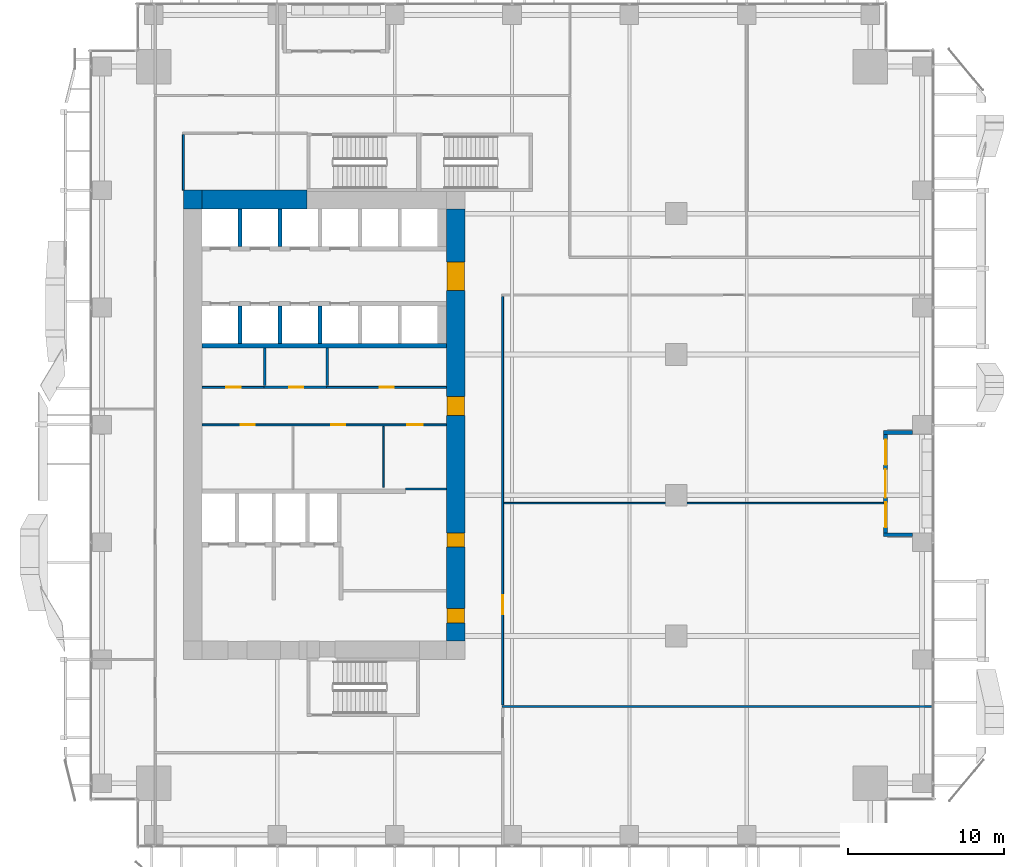
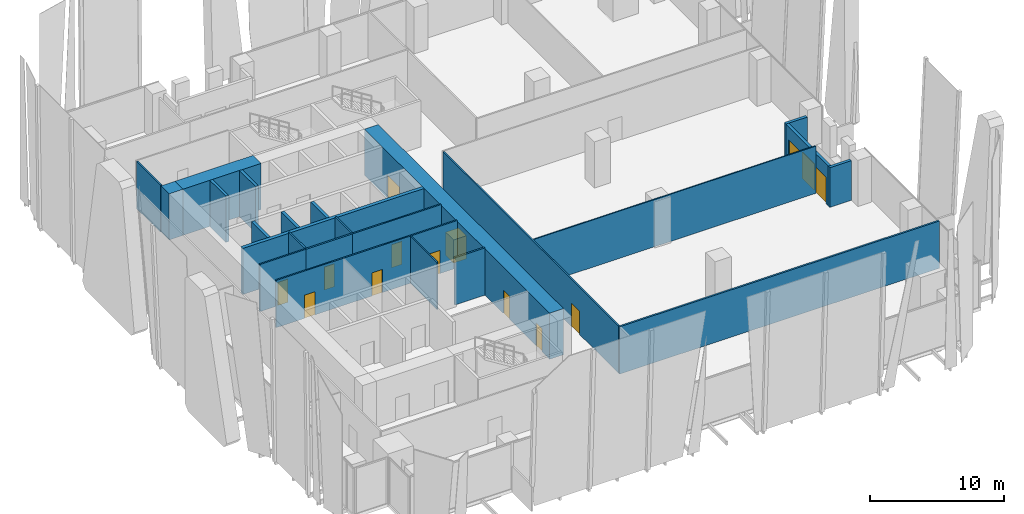
# One storey, part 27 of 34: 24 walls, 12 doors, 2 windows, 14 openings.
"""IFC4 building model written with IfcOpenShell, lengths in metres."""

from ifc_helpers import new_model, si_unit, direction, frame, frame_2d, origin, place, context, subcontext, project, spatial, rectangle, extrude, source, transform, mapped, material, layer, layer_set, type_object, element, fill, save


model = new_model("IFC4")

# Units and contexts
model_context = context("Model", 3, precision=1e-05, world=origin(), true_north=direction((0.0, 1.0)))
body_context = subcontext(model_context, "Body", "Model", "MODEL_VIEW")
ifc_project = project(units=[si_unit("LENGTHUNIT", "METRE"), si_unit("AREAUNIT", "SQUARE_METRE"), si_unit("VOLUMEUNIT", "CUBIC_METRE"), si_unit("PLANEANGLEUNIT", "RADIAN"), si_unit("MASSUNIT", "GRAM", prefix="KILO")], contexts=[model_context])

# Site, building, storey
site_placement = place(None, origin())
site = spatial("IfcSite", under=ifc_project, at=site_placement, CompositionType="ELEMENT")
building_placement = place(site_placement, origin())
building = spatial("IfcBuilding", under=site, at=building_placement, Name="Khomas Fold Tower", CompositionType="ELEMENT")
storey_placement = place(building_placement, frame((0.0, 0.0, 73.5)))
storey = spatial("IfcBuildingStorey", under=building, at=storey_placement, Name="L15", CompositionType="ELEMENT", Elevation=73.5)

# Walls
ifc_material_1 = material(Name="Concrete C70/85", Category="concrete")
ifc_layer_1 = layer(ifc_material_1, 1.199951171875)
ifc_layer_set_1 = layer_set([ifc_layer_1], Name="Concrete C70/85")
wall_type_1 = type_object("IfcWallType", Name="Core wall 1200", PredefinedType="SHEAR", material=ifc_layer_set_1)
shared_shape_1 = source(origin(), body_context, "Body", "SweptSolid", [
    extrude(rectangle(XDim=6.699951171875, YDim=1.199951171875, at=frame_2d((3.35009765625, 0.0))), origin(), (0.0, 0.0, 1.0), 4.199951171875),
])
wall_1_placement = place(storey_placement, frame((7.199951171875, 41.39990234375, 0.0), z_axis=(0.0, 0.0, 1.0), x_axis=(1.0, 0.0, 0.0)))
element("IfcWall", 1, at=wall_1_placement, inside=storey, type_object=wall_type_1, Name="Core wall CW-L-N-B2", PredefinedType="SHEAR", context=body_context, shape_type="MappedRepresentation", body=[
    mapped(shared_shape_1, transform((0.0, 0.0, 0.0))),
])
ifc_material_2 = material(Name="Concrete C70/85", Category="concrete")
ifc_layer_2 = layer(ifc_material_2, 1.199951171875)
ifc_layer_set_2 = layer_set([ifc_layer_2], Name="Concrete C70/85")
wall_type_2 = type_object("IfcWallType", Name="Core corner wall 1200", PredefinedType="SHEAR", material=ifc_layer_set_2)
shared_shape_2 = source(origin(), body_context, "Body", "SweptSolid", [
    extrude(rectangle(XDim=1.199951171875, YDim=1.199951171875, at=frame_2d((0.60009765625, 0.0))), origin(), (0.0, 0.0, 1.0), 4.199951171875),
])
wall_2_placement = place(storey_placement, frame((6.0, 41.39990234375, 0.0), z_axis=(0.0, 0.0, 1.0), x_axis=(1.0, 0.0, 0.0)))
element("IfcWall", 2, at=wall_2_placement, inside=storey, type_object=wall_type_2, Name="Core wall CW-L-NW-B2", PredefinedType="SHEAR", context=body_context, shape_type="MappedRepresentation", body=[
    mapped(shared_shape_2, transform((0.0, 0.0, 0.0))),
])

# Wall, openings, doors
shared_shape_3 = source(origin(), body_context, "Body", "SweptSolid", [
    extrude(rectangle(XDim=27.60009765625, YDim=1.199951171875, at=frame_2d((13.800048828125, 0.0))), origin(), (0.0, 0.0, 1.0), 4.199951171875),
])
wall_3_placement = place(storey_placement, frame((23.39990234375, 13.199951171875, 0.0), z_axis=(0.0, 0.0, 1.0), x_axis=(0.0, 1.0, 0.0)))
wall_3 = element("IfcWall", 3, at=wall_3_placement, inside=storey, type_object=wall_type_1, Name="Core wall CW-L-E-B2", PredefinedType="SHEAR", context=body_context, shape_type="MappedRepresentation", body=[
    mapped(shared_shape_3, transform((0.0, 0.0, 0.0))),
])
shared_shape_4 = source(origin(), body_context, "Body", "SweptSolid", [
    extrude(rectangle(XDim=1.800048828125, YDim=2.10009765625, at=frame_2d((0.89990234375, 1.050048828125))), frame((0.0, 0.60986328125, 0.0), z_axis=(0.0, -1.0, 0.0), x_axis=(1.0, 0.0, 0.0)), (0.0, 0.0, 1.0), 1.219970703125),
])
opening_1_placement = place(wall_3_placement, frame((22.39990234375, 0.0, 0.0)))
opening_1 = element("IfcOpeningElement", 4, at=opening_1_placement, cuts=wall_3, Name="Opening 0015", PredefinedType="OPENING", context=body_context, shape_type="MappedRepresentation", body=[
    mapped(shared_shape_4, transform((0.0, 0.0, 0.0))),
])
shared_shape_5 = source(origin(), body_context, "Body", "SweptSolid", [
    extrude(rectangle(XDim=1.199951171875, YDim=2.10009765625, at=frame_2d((0.60009765625, 1.050048828125))), frame((0.0, 0.60986328125, 0.0), z_axis=(0.0, -1.0, 0.0), x_axis=(1.0, 0.0, 0.0)), (0.0, 0.0, 1.0), 1.219970703125),
])
opening_2_placement = place(wall_3_placement, frame((14.39990234375, 0.0, 0.0)))
opening_2 = element("IfcOpeningElement", 5, at=opening_2_placement, cuts=wall_3, Name="Opening 0001", PredefinedType="OPENING", context=body_context, shape_type="MappedRepresentation", body=[
    mapped(shared_shape_5, transform((0.0, 0.0, 0.0))),
])
shared_shape_6 = source(origin(), body_context, "Body", "SweptSolid", [
    extrude(rectangle(XDim=0.89990234375, YDim=2.10009765625, at=frame_2d((0.449951171875, 1.050048828125))), frame((0.0, 0.60986328125, 0.0), z_axis=(0.0, -1.0, 0.0), x_axis=(1.0, 0.0, 0.0)), (0.0, 0.0, 1.0), 1.219970703125),
])
opening_3_placement = place(wall_3_placement, frame((1.14990234375, 0.0, 0.0)))
opening_3 = element("IfcOpeningElement", 6, at=opening_3_placement, cuts=wall_3, Name="Opening 0008", PredefinedType="OPENING", context=body_context, shape_type="MappedRepresentation", body=[
    mapped(shared_shape_6, transform((0.0, 0.0, 0.0))),
])
opening_4_placement = place(wall_3_placement, frame((6.0, 0.0, 0.0)))
opening_4 = element("IfcOpeningElement", 7, at=opening_4_placement, cuts=wall_3, Name="Opening 0003", PredefinedType="OPENING", context=body_context, shape_type="MappedRepresentation", body=[
    mapped(shared_shape_6, transform((0.0, 0.0, 0.0))),
])
ifc_material_3 = material(Name="Timber door leaf", Category="wood")
door_type_1 = type_object("IfcDoorType", Name="Door 1200x2100 right-hand", OperationType="SINGLE_SWING_RIGHT", PredefinedType="DOOR", material=ifc_material_3)
shared_shape_7 = source(origin(), body_context, "Body", "SweptSolid", [
    extrude(rectangle(XDim=1.199951171875, YDim=2.10009765625, at=frame_2d((0.60009765625, 1.050048828125))), frame((0.0, 0.5498046875, 0.0), z_axis=(0.0, -1.0, 0.0), x_axis=(1.0, 0.0, 0.0)), (0.0, 0.0, 1.0), 1.099853515625),
])
door_1_placement = place(opening_2_placement, origin())
door_1 = element("IfcDoor", 8, at=door_1_placement, inside=storey, type_object=door_type_1, Name="Door", OperationType="SINGLE_SWING_RIGHT", OverallHeight=2.10009765625, OverallWidth=1.199951171875, PredefinedType="DOOR", context=body_context, shape_type="MappedRepresentation", body=[
    mapped(shared_shape_7, transform((0.0, 0.0, 0.0))),
])
fill(opening_2, door_1)
ifc_material_4 = material(Name="Timber door leaf", Category="wood")
door_type_2 = type_object("IfcDoorType", Name="Door 900x2100 right-hand", OperationType="SINGLE_SWING_RIGHT", PredefinedType="DOOR", material=ifc_material_4)
shared_shape_8 = source(origin(), body_context, "Body", "SweptSolid", [
    extrude(rectangle(XDim=0.89990234375, YDim=2.10009765625, at=frame_2d((0.449951171875, 1.050048828125))), frame((0.0, 0.5498046875, 0.0), z_axis=(0.0, -1.0, 0.0), x_axis=(1.0, 0.0, 0.0)), (0.0, 0.0, 1.0), 1.099853515625),
])
door_2_placement = place(opening_3_placement, origin())
door_2 = element("IfcDoor", 9, at=door_2_placement, inside=storey, type_object=door_type_2, Name="Door", OperationType="SINGLE_SWING_RIGHT", OverallHeight=2.10009765625, OverallWidth=0.89990234375, PredefinedType="DOOR", context=body_context, shape_type="MappedRepresentation", body=[
    mapped(shared_shape_8, transform((0.0, 0.0, 0.0))),
])
fill(opening_3, door_2)
ifc_material_5 = material(Name="Steel door leaf", Category="steel")
door_type_3 = type_object("IfcDoorType", Name="Plant room door 900x2100 right-hand", OperationType="SINGLE_SWING_RIGHT", PredefinedType="DOOR", material=ifc_material_5)
door_3_placement = place(opening_4_placement, origin())
door_3 = element("IfcDoor", 10, at=door_3_placement, inside=storey, type_object=door_type_3, Name="Plant room door", OperationType="SINGLE_SWING_RIGHT", OverallHeight=2.10009765625, OverallWidth=0.89990234375, PredefinedType="DOOR", context=body_context, shape_type="MappedRepresentation", body=[
    mapped(shared_shape_8, transform((0.0, 0.0, 0.0))),
])
fill(opening_4, door_3)
ifc_material_6 = material(Name="Steel door leaf", Category="steel")
door_type_4 = type_object("IfcDoorType", Name="Lobby door 1800x2100", OperationType="DOUBLE_DOOR_SINGLE_SWING", PredefinedType="DOOR", material=ifc_material_6)
shared_shape_9 = source(origin(), body_context, "Body", "SweptSolid", [
    extrude(rectangle(XDim=1.800048828125, YDim=2.10009765625, at=frame_2d((0.89990234375, 1.050048828125))), frame((0.0, 0.5498046875, 0.0), z_axis=(0.0, -1.0, 0.0), x_axis=(1.0, 0.0, 0.0)), (0.0, 0.0, 1.0), 1.099853515625),
])
door_4_placement = place(opening_1_placement, origin())
door_4 = element("IfcDoor", 11, at=door_4_placement, inside=storey, type_object=door_type_4, Name="Lobby door", OperationType="DOUBLE_DOOR_SINGLE_SWING", OverallHeight=2.10009765625, OverallWidth=1.800048828125, PredefinedType="DOOR", context=body_context, shape_type="MappedRepresentation", body=[
    mapped(shared_shape_9, transform((0.0, 0.0, 0.0))),
])
fill(opening_1, door_4)

# Walls
ifc_material_7 = material(Name="Concrete C50/60", Category="concrete")
ifc_layer_3 = layer(ifc_material_7, 0.300048828125)
ifc_layer_set_3 = layer_set([ifc_layer_3], Name="Concrete C50/60")
wall_type_3 = type_object("IfcWallType", Name="Shaft wall 300", PredefinedType="STANDARD", material=ifc_layer_set_3)
shared_shape_10 = source(origin(), body_context, "Body", "SweptSolid", [
    extrude(rectangle(XDim=15.60009765625, YDim=0.300048828125, at=frame_2d((7.800048828125, 0.0))), origin(), (0.0, 0.0, 1.0), 4.199951171875),
])
wall_4_placement = place(storey_placement, frame((7.199951171875, 32.050048828125, 0.0), z_axis=(0.0, 0.0, 1.0), x_axis=(1.0, 0.0, 0.0)))
element("IfcWall", 12, at=wall_4_placement, inside=storey, type_object=wall_type_3, Name="Core wall SW-HRN-B", PredefinedType="STANDARD", context=body_context, shape_type="MappedRepresentation", body=[
    mapped(shared_shape_10, transform((0.0, 0.0, 0.0))),
])
ifc_material_8 = material(Name="Concrete C50/60", Category="concrete")
ifc_layer_4 = layer(ifc_material_8, 0.25)
ifc_layer_set_4 = layer_set([ifc_layer_4], Name="Concrete C50/60")
wall_type_4 = type_object("IfcWallType", Name="Shaft wall 250", PredefinedType="STANDARD", material=ifc_layer_set_4)
shared_shape_11 = source(origin(), body_context, "Body", "SweptSolid", [
    extrude(rectangle(XDim=2.400146484375, YDim=0.25, at=frame_2d((1.2001953125, 0.0))), origin(), (0.0, 0.0, 1.0), 4.199951171875),
])
for number, where, z_axis, x_axis, name in (
    (13, (9.625, 38.39990234375, 0.0), (0.0, 0.0, 1.0), (0.0, 1.0, 0.0), "Core wall SW-LRN-P1"),
    (14, (12.175048828125, 38.39990234375, 0.0), (0.0, 0.0, 1.0), (0.0, 1.0, 0.0), "Core wall SW-LRN-P2"),
    (15, (9.625, 32.199951171875, 0.0), (0.0, 0.0, 1.0), (0.0, 1.0, 0.0), "Core wall SW-LRS-P1"),
    (16, (12.175048828125, 32.199951171875, 0.0), (0.0, 0.0, 1.0), (0.0, 1.0, 0.0), "Core wall SW-LRS-P2"),
    (17, (14.72509765625, 32.199951171875, 0.0), (0.0, 0.0, 1.0), (0.0, 1.0, 0.0), "Core wall SW-LRS-P3"),
):
    element("IfcWall", number, at=place(storey_placement, frame(where, z_axis=z_axis, x_axis=x_axis)), inside=storey, type_object=wall_type_4, Name=name, PredefinedType="STANDARD", context=body_context, shape_type="MappedRepresentation", body=[
        mapped(shared_shape_11, transform((0.0, 0.0, 0.0))),
    ])

# Wall, openings, windows, door
ifc_material_9 = material(Name="Natural stone", Category="masonry")
ifc_layer_5 = layer(ifc_material_9, 0.0400390625)
ifc_material_10 = material(Name="Mineral wool insulation", Category="insulation")
ifc_layer_6 = layer(ifc_material_10, 0.10009765625)
ifc_material_11 = material(Name="Masonry", Category="masonry")
ifc_layer_7 = layer(ifc_material_11, 0.110107421875)
ifc_layer_set_5 = layer_set([ifc_layer_5, ifc_layer_6, ifc_layer_7], Name="Stone-faced insulated masonry")
wall_type_5 = type_object("IfcWallType", Name="BL-Balcony wall", PredefinedType="SOLIDWALL", material=ifc_layer_set_5)
shared_shape_12 = source(origin(), body_context, "Body", "SweptSolid", [
    extrude(rectangle(XDim=6.2998046875, YDim=0.25, at=frame_2d((3.14990234375, 0.0))), origin(), (0.0, 0.0, 1.0), 3.60009765625),
])
wall_5_placement = place(storey_placement, frame((50.875, 20.10009765625, 0.0), z_axis=(0.0, 0.0, 1.0), x_axis=(0.0, 1.0, 0.0)))
wall_5 = element("IfcWall", 18, at=wall_5_placement, inside=storey, type_object=wall_type_5, Name="Balcony wall BAL-L15-E2", PredefinedType="SOLIDWALL", context=body_context, shape_type="MappedRepresentation", body=[
    mapped(shared_shape_12, transform((0.0, 0.0, 0.0))),
])
shared_shape_13 = source(origin(), body_context, "Body", "SweptSolid", [
    extrude(rectangle(XDim=1.60009765625, YDim=2.39990234375, at=frame_2d((0.800048828125, 1.199951171875))), frame((0.0, 0.135009765625, 0.0), z_axis=(0.0, -1.0, 0.0), x_axis=(1.0, 0.0, 0.0)), (0.0, 0.0, 1.0), 0.27001953125),
])
opening_5_placement = place(wall_5_placement, frame((0.35009765625, 0.0, 0.0)))
opening_5 = element("IfcOpeningElement", 19, at=opening_5_placement, cuts=wall_5, Name="Opening BL-W1", PredefinedType="OPENING", context=body_context, shape_type="MappedRepresentation", body=[
    mapped(shared_shape_13, transform((0.0, 0.0, 0.0))),
])
opening_6_placement = place(wall_5_placement, frame((4.35009765625, 0.0, 0.0)))
opening_6 = element("IfcOpeningElement", 20, at=opening_6_placement, cuts=wall_5, Name="Opening BL-W1", PredefinedType="OPENING", context=body_context, shape_type="MappedRepresentation", body=[
    mapped(shared_shape_13, transform((0.0, 0.0, 0.0))),
])
shared_shape_14 = source(origin(), body_context, "Body", "SweptSolid", [
    extrude(rectangle(XDim=1.800048828125, YDim=2.39990234375, at=frame_2d((0.89990234375, 1.199951171875))), frame((0.0, 0.135009765625, 0.0), z_axis=(0.0, -1.0, 0.0), x_axis=(1.0, 0.0, 0.0)), (0.0, 0.0, 1.0), 0.27001953125),
])
opening_7_placement = place(wall_5_placement, frame((2.25, 0.0, 0.0)))
opening_7 = element("IfcOpeningElement", 21, at=opening_7_placement, cuts=wall_5, Name="Opening BD151", PredefinedType="OPENING", context=body_context, shape_type="MappedRepresentation", body=[
    mapped(shared_shape_14, transform((0.0, 0.0, 0.0))),
])
ifc_material_12 = material(Name="Aluminium framed double glazing", Category="aluminium")
window_type = type_object("IfcWindowType", Name="BL-Fixed glazing 1600 x 2400", PartitioningType="SINGLE_PANEL", PredefinedType="WINDOW", material=ifc_material_12)
shared_shape_15 = source(origin(), body_context, "Body", "SweptSolid", [
    extrude(rectangle(XDim=1.60009765625, YDim=2.39990234375, at=frame_2d((0.800048828125, 1.199951171875))), frame((0.0, 0.030029296875, 0.0), z_axis=(0.0, -1.0, 0.0), x_axis=(1.0, 0.0, 0.0)), (0.0, 0.0, 1.0), 0.06005859375),
])
window_1_placement = place(opening_5_placement, origin())
window_1 = element("IfcWindow", 22, at=window_1_placement, inside=storey, type_object=window_type, Name="Balcony glazing BAL-L15-E2-1", OverallHeight=2.39990234375, OverallWidth=1.60009765625, PartitioningType="SINGLE_PANEL", PredefinedType="WINDOW", context=body_context, shape_type="MappedRepresentation", body=[
    mapped(shared_shape_15, transform((0.0, 0.0, 0.0))),
])
fill(opening_5, window_1)
window_2_placement = place(opening_6_placement, origin())
window_2 = element("IfcWindow", 23, at=window_2_placement, inside=storey, type_object=window_type, Name="Balcony glazing BAL-L15-E2-2", OverallHeight=2.39990234375, OverallWidth=1.60009765625, PartitioningType="SINGLE_PANEL", PredefinedType="WINDOW", context=body_context, shape_type="MappedRepresentation", body=[
    mapped(shared_shape_15, transform((0.0, 0.0, 0.0))),
])
fill(opening_6, window_2)
ifc_material_13 = material(Name="Aluminium framed double glazing", Category="aluminium")
door_type_5 = type_object("IfcDoorType", Name="BL-Glazed balcony door 1800 x 2400", OperationType="DOUBLE_DOOR_DOUBLE_SWING", PredefinedType="DOOR", material=ifc_material_13)
shared_shape_16 = source(origin(), body_context, "Body", "SweptSolid", [
    extrude(rectangle(XDim=1.800048828125, YDim=2.39990234375, at=frame_2d((0.89990234375, 1.199951171875))), frame((0.0, 0.02490234375, 0.0), z_axis=(0.0, -1.0, 0.0), x_axis=(1.0, 0.0, 0.0)), (0.0, 0.0, 1.0), 0.050048828125),
])
door_5_placement = place(opening_7_placement, origin())
door_5 = element("IfcDoor", 24, at=door_5_placement, inside=storey, type_object=door_type_5, Name="Balcony door BD151", OperationType="DOUBLE_DOOR_DOUBLE_SWING", OverallHeight=2.39990234375, OverallWidth=1.800048828125, PredefinedType="DOOR", context=body_context, shape_type="MappedRepresentation", body=[
    mapped(shared_shape_16, transform((0.0, 0.0, 0.0))),
])
fill(opening_7, door_5)

# Walls
shared_shape_17 = source(origin(), body_context, "Body", "SweptSolid", [
    extrude(rectangle(XDim=1.85009765625, YDim=0.25, at=frame_2d((0.925048828125, 0.0))), origin(), (0.0, 0.0, 1.0), 3.60009765625),
])
for number, where, z_axis, x_axis, name in (
    (25, (52.60009765625, 19.97509765625, 0.0), (0.0, 0.0, 1.0), (-1.0, 0.0, 0.0), "Balcony return wall BAL-L15-E2-lo"),
    (26, (52.60009765625, 26.52490234375, 0.0), (0.0, 0.0, 1.0), (-1.0, 0.0, 0.0), "Balcony return wall BAL-L15-E2-hi"),
):
    element("IfcWall", number, at=place(storey_placement, frame(where, z_axis=z_axis, x_axis=x_axis)), inside=storey, type_object=wall_type_5, Name=name, PredefinedType="SOLIDWALL", context=body_context, shape_type="MappedRepresentation", body=[
        mapped(shared_shape_17, transform((0.0, 0.0, 0.0))),
    ])
ifc_material_14 = material(Name="Plasterboard fire partition")
ifc_layer_8 = layer(ifc_material_14, 0.14990234375)
ifc_layer_set_6 = layer_set([ifc_layer_8], Name="Plasterboard fire partition")
wall_type_6 = type_object("IfcWallType", Name="Plant room wall PW3 150", PredefinedType="PARTITIONING", material=ifc_layer_set_6)
shared_shape_18 = source(origin(), body_context, "Body", "SweptSolid", [
    extrude(rectangle(XDim=27.5, YDim=0.14990234375, at=frame_2d((13.75, 0.0))), origin(), (0.0, 0.0, 1.0), 4.300048828125),
])
wall_6_placement = place(storey_placement, frame((26.35009765625, 9.0, 0.0), z_axis=(0.0, 0.0, 1.0), x_axis=(1.0, 0.0, 0.0)))
element("IfcWall", 27, at=wall_6_placement, inside=storey, type_object=wall_type_6, Name="Plant room wall", PredefinedType="PARTITIONING", context=body_context, shape_type="MappedRepresentation", body=[
    mapped(shared_shape_18, transform((0.0, 0.0, 0.0))),
])
shared_shape_19 = source(origin(), body_context, "Body", "SweptSolid", [
    extrude(rectangle(XDim=2.60009765625, YDim=0.14990234375, at=frame_2d((1.300048828125, 0.0))), origin(), (0.0, 0.0, 1.0), 4.300048828125),
])
wall_7_placement = place(storey_placement, frame((20.199951171875, 22.89990234375, 0.0), z_axis=(0.0, 0.0, 1.0), x_axis=(1.0, 0.0, 0.0)))
element("IfcWall", 28, at=wall_7_placement, inside=storey, type_object=wall_type_6, Name="Plant room wall", PredefinedType="PARTITIONING", context=body_context, shape_type="MappedRepresentation", body=[
    mapped(shared_shape_19, transform((0.0, 0.0, 0.0))),
])
ifc_material_15 = material(Name="Plasterboard partition")
ifc_layer_9 = layer(ifc_material_15, 0.10009765625)
ifc_layer_set_7 = layer_set([ifc_layer_9], Name="Plasterboard partition")
wall_type_7 = type_object("IfcWallType", Name="Partition PW1 100", PredefinedType="PARTITIONING", material=ifc_layer_set_7)
shared_shape_20 = source(origin(), body_context, "Body", "SweptSolid", [
    extrude(rectangle(XDim=24.25, YDim=0.10009765625, at=frame_2d((12.125, 0.0))), origin(), (0.0, 0.0, 1.0), 4.300048828125),
])
wall_8_placement = place(storey_placement, frame((26.5, 22.0, 0.0), z_axis=(0.0, 0.0, 1.0), x_axis=(1.0, 0.0, 0.0)))
element("IfcWall", 29, at=wall_8_placement, inside=storey, type_object=wall_type_7, Name="Partition", PredefinedType="PARTITIONING", context=body_context, shape_type="MappedRepresentation", body=[
    mapped(shared_shape_20, transform((0.0, 0.0, 0.0))),
])
ifc_material_16 = material(Name="Plasterboard partition")
ifc_layer_10 = layer(ifc_material_16, 0.125)
ifc_layer_set_8 = layer_set([ifc_layer_10], Name="Plasterboard partition")
wall_type_8 = type_object("IfcWallType", Name="Partition PW2 125", PredefinedType="PARTITIONING", material=ifc_layer_set_8)
shared_shape_21 = source(origin(), body_context, "Body", "SweptSolid", [
    extrude(rectangle(XDim=3.550048828125, YDim=0.125, at=frame_2d((1.77490234375, 0.0))), origin(), (0.0, 0.0, 1.0), 4.300048828125),
])
wall_9_placement = place(storey_placement, frame((6.0, 42.0, 0.0), z_axis=(0.0, 0.0, 1.0), x_axis=(0.0, 1.0, 0.0)))
element("IfcWall", 30, at=wall_9_placement, inside=storey, type_object=wall_type_8, Name="Partition", PredefinedType="PARTITIONING", context=body_context, shape_type="MappedRepresentation", body=[
    mapped(shared_shape_21, transform((0.0, 0.0, 0.0))),
])

# Wall, openings, doors
shared_shape_22 = source(origin(), body_context, "Body", "SweptSolid", [
    extrude(rectangle(XDim=15.60009765625, YDim=0.125, at=frame_2d((7.800048828125, 0.0))), origin(), (0.0, 0.0, 1.0), 4.300048828125),
])
wall_10_placement = place(storey_placement, frame((7.199951171875, 27.0, 0.0), z_axis=(0.0, 0.0, 1.0), x_axis=(1.0, 0.0, 0.0)))
wall_10 = element("IfcWall", 31, at=wall_10_placement, inside=storey, type_object=wall_type_8, Name="Partition", PredefinedType="PARTITIONING", context=body_context, shape_type="MappedRepresentation", body=[
    mapped(shared_shape_22, transform((0.0, 0.0, 0.0))),
])
shared_shape_23 = source(origin(), body_context, "Body", "SweptSolid", [
    extrude(rectangle(XDim=0.89990234375, YDim=2.10009765625, at=frame_2d((0.449951171875, 1.050048828125))), frame((0.0, 0.072509765625, 0.0), z_axis=(0.0, -1.0, 0.0), x_axis=(1.0, 0.0, 0.0)), (0.0, 0.0, 1.0), 0.14501953125),
])
opening_8_placement = place(wall_10_placement, frame((2.449951171875, 0.0, 0.0)))
opening_8 = element("IfcOpeningElement", 32, at=opening_8_placement, cuts=wall_10, Name="Opening 0005", PredefinedType="OPENING", context=body_context, shape_type="MappedRepresentation", body=[
    mapped(shared_shape_23, transform((0.0, 0.0, 0.0))),
])
opening_9_placement = place(wall_10_placement, frame((8.25, 0.0, 0.0)))
opening_9 = element("IfcOpeningElement", 33, at=opening_9_placement, cuts=wall_10, Name="Opening 0004", PredefinedType="OPENING", context=body_context, shape_type="MappedRepresentation", body=[
    mapped(shared_shape_23, transform((0.0, 0.0, 0.0))),
])
shared_shape_24 = source(origin(), body_context, "Body", "SweptSolid", [
    extrude(rectangle(XDim=1.0, YDim=2.10009765625, at=frame_2d((0.5, 1.050048828125))), frame((0.0, 0.072509765625, 0.0), z_axis=(0.0, -1.0, 0.0), x_axis=(1.0, 0.0, 0.0)), (0.0, 0.0, 1.0), 0.14501953125),
])
opening_10_placement = place(wall_10_placement, frame((13.10009765625, 0.0, 0.0)))
opening_10 = element("IfcOpeningElement", 34, at=opening_10_placement, cuts=wall_10, Name="Opening 0014", PredefinedType="OPENING", context=body_context, shape_type="MappedRepresentation", body=[
    mapped(shared_shape_24, transform((0.0, 0.0, 0.0))),
])
ifc_material_17 = material(Name="Timber door leaf", Category="wood")
door_type_6 = type_object("IfcDoorType", Name="WC door 900x2100 left-hand", OperationType="SINGLE_SWING_LEFT", PredefinedType="DOOR", material=ifc_material_17)
shared_shape_25 = source(origin(), body_context, "Body", "SweptSolid", [
    extrude(rectangle(XDim=0.89990234375, YDim=2.10009765625, at=frame_2d((0.449951171875, 1.050048828125))), frame((0.0, 0.02490234375, 0.0), z_axis=(0.0, -1.0, 0.0), x_axis=(1.0, 0.0, 0.0)), (0.0, 0.0, 1.0), 0.050048828125),
])
door_6_placement = place(opening_8_placement, origin())
door_6 = element("IfcDoor", 35, at=door_6_placement, inside=storey, type_object=door_type_6, Name="WC door", OperationType="SINGLE_SWING_LEFT", OverallHeight=2.10009765625, OverallWidth=0.89990234375, PredefinedType="DOOR", context=body_context, shape_type="MappedRepresentation", body=[
    mapped(shared_shape_25, transform((0.0, 0.0, 0.0))),
])
fill(opening_8, door_6)
ifc_material_18 = material(Name="Timber door leaf", Category="wood")
door_type_7 = type_object("IfcDoorType", Name="WC door 900x2100 right-hand", OperationType="SINGLE_SWING_RIGHT", PredefinedType="DOOR", material=ifc_material_18)
door_7_placement = place(opening_9_placement, origin())
door_7 = element("IfcDoor", 36, at=door_7_placement, inside=storey, type_object=door_type_7, Name="WC door", OperationType="SINGLE_SWING_RIGHT", OverallHeight=2.10009765625, OverallWidth=0.89990234375, PredefinedType="DOOR", context=body_context, shape_type="MappedRepresentation", body=[
    mapped(shared_shape_25, transform((0.0, 0.0, 0.0))),
])
fill(opening_9, door_7)
ifc_material_19 = material(Name="Timber door leaf", Category="wood")
door_type_8 = type_object("IfcDoorType", Name="WC door 1000x2100 left-hand", OperationType="SINGLE_SWING_LEFT", PredefinedType="DOOR", material=ifc_material_19)
shared_shape_26 = source(origin(), body_context, "Body", "SweptSolid", [
    extrude(rectangle(XDim=1.0, YDim=2.10009765625, at=frame_2d((0.5, 1.050048828125))), frame((0.0, 0.02490234375, 0.0), z_axis=(0.0, -1.0, 0.0), x_axis=(1.0, 0.0, 0.0)), (0.0, 0.0, 1.0), 0.050048828125),
])
door_8_placement = place(opening_10_placement, origin())
door_8 = element("IfcDoor", 37, at=door_8_placement, inside=storey, type_object=door_type_8, Name="WC door", OperationType="SINGLE_SWING_LEFT", OverallHeight=2.10009765625, OverallWidth=1.0, PredefinedType="DOOR", context=body_context, shape_type="MappedRepresentation", body=[
    mapped(shared_shape_26, transform((0.0, 0.0, 0.0))),
])
fill(opening_10, door_8)

# Wall, opening, door
shared_shape_27 = source(origin(), body_context, "Body", "SweptSolid", [
    extrude(rectangle(XDim=26.099853515625, YDim=0.125, at=frame_2d((13.0498046875, 0.0))), origin(), (0.0, 0.0, 1.0), 4.300048828125),
])
wall_11_placement = place(storey_placement, frame((26.39990234375, 9.10009765625, 0.0), z_axis=(0.0, 0.0, 1.0), x_axis=(0.0, 1.0, 0.0)))
wall_11 = element("IfcWall", 38, at=wall_11_placement, inside=storey, type_object=wall_type_8, Name="Partition", PredefinedType="PARTITIONING", context=body_context, shape_type="MappedRepresentation", body=[
    mapped(shared_shape_27, transform((0.0, 0.0, 0.0))),
])
shared_shape_28 = source(origin(), body_context, "Body", "SweptSolid", [
    extrude(rectangle(XDim=1.199951171875, YDim=2.10009765625, at=frame_2d((0.60009765625, 1.050048828125))), frame((0.0, 0.072509765625, 0.0), z_axis=(0.0, -1.0, 0.0), x_axis=(1.0, 0.0, 0.0)), (0.0, 0.0, 1.0), 0.14501953125),
])
opening_11_placement = place(wall_11_placement, frame((5.800048828125, 0.0, 0.0)))
opening_11 = element("IfcOpeningElement", 39, at=opening_11_placement, cuts=wall_11, Name="Opening 0013", PredefinedType="OPENING", context=body_context, shape_type="MappedRepresentation", body=[
    mapped(shared_shape_28, transform((0.0, 0.0, 0.0))),
])
ifc_material_20 = material(Name="Timber door leaf", Category="wood")
door_type_9 = type_object("IfcDoorType", Name="Door 1200x2100 left-hand", OperationType="SINGLE_SWING_LEFT", PredefinedType="DOOR", material=ifc_material_20)
shared_shape_29 = source(origin(), body_context, "Body", "SweptSolid", [
    extrude(rectangle(XDim=1.199951171875, YDim=2.10009765625, at=frame_2d((0.60009765625, 1.050048828125))), frame((0.0, 0.02490234375, 0.0), z_axis=(0.0, -1.0, 0.0), x_axis=(1.0, 0.0, 0.0)), (0.0, 0.0, 1.0), 0.050048828125),
])
door_9_placement = place(opening_11_placement, origin())
door_9 = element("IfcDoor", 40, at=door_9_placement, inside=storey, type_object=door_type_9, Name="Door", OperationType="SINGLE_SWING_LEFT", OverallHeight=2.10009765625, OverallWidth=1.199951171875, PredefinedType="DOOR", context=body_context, shape_type="MappedRepresentation", body=[
    mapped(shared_shape_29, transform((0.0, 0.0, 0.0))),
])
fill(opening_11, door_9)

# Wall
shared_shape_30 = source(origin(), body_context, "Body", "SweptSolid", [
    extrude(rectangle(XDim=3.89990234375, YDim=0.10009765625, at=frame_2d((1.949951171875, 0.0))), origin(), (0.0, 0.0, 1.0), 4.300048828125),
])
wall_12_placement = place(storey_placement, frame((18.800048828125, 23.0, 0.0), z_axis=(0.0, 0.0, 1.0), x_axis=(0.0, 1.0, 0.0)))
element("IfcWall", 41, at=wall_12_placement, inside=storey, type_object=wall_type_7, Name="Partition", PredefinedType="PARTITIONING", context=body_context, shape_type="MappedRepresentation", body=[
    mapped(shared_shape_30, transform((0.0, 0.0, 0.0))),
])

# Wall, opening, door
shared_shape_31 = source(origin(), body_context, "Body", "SweptSolid", [
    extrude(rectangle(XDim=3.949951171875, YDim=0.125, at=frame_2d((1.97509765625, 0.0))), origin(), (0.0, 0.0, 1.0), 4.300048828125),
])
wall_13_placement = place(storey_placement, frame((7.199951171875, 29.39990234375, 0.0), z_axis=(0.0, 0.0, 1.0), x_axis=(1.0, 0.0, 0.0)))
wall_13 = element("IfcWall", 42, at=wall_13_placement, inside=storey, type_object=wall_type_8, Name="Partition", PredefinedType="PARTITIONING", context=body_context, shape_type="MappedRepresentation", body=[
    mapped(shared_shape_31, transform((0.0, 0.0, 0.0))),
])
opening_12_placement = place(wall_13_placement, frame((1.550048828125, 0.0, 0.0)))
opening_12 = element("IfcOpeningElement", 43, at=opening_12_placement, cuts=wall_13, Name="Opening 0007", PredefinedType="OPENING", context=body_context, shape_type="MappedRepresentation", body=[
    mapped(shared_shape_23, transform((0.0, 0.0, 0.0))),
])
ifc_material_21 = material(Name="Timber door leaf", Category="wood")
door_type_10 = type_object("IfcDoorType", Name="Door 900x2100 left-hand", OperationType="SINGLE_SWING_LEFT", PredefinedType="DOOR", material=ifc_material_21)
door_10_placement = place(opening_12_placement, origin())
door_10 = element("IfcDoor", 44, at=door_10_placement, inside=storey, type_object=door_type_10, Name="Door", OperationType="SINGLE_SWING_LEFT", OverallHeight=2.10009765625, OverallWidth=0.89990234375, PredefinedType="DOOR", context=body_context, shape_type="MappedRepresentation", body=[
    mapped(shared_shape_25, transform((0.0, 0.0, 0.0))),
])
fill(opening_12, door_10)

shared_shape_32 = source(origin(), body_context, "Body", "SweptSolid", [
    extrude(rectangle(XDim=4.0, YDim=0.14990234375, at=frame_2d((2.0, 0.0))), origin(), (0.0, 0.0, 1.0), 4.300048828125),
])
wall_14_placement = place(storey_placement, frame((11.14990234375, 29.39990234375, 0.0), z_axis=(0.0, 0.0, 1.0), x_axis=(1.0, 0.0, 0.0)))
wall_14 = element("IfcWall", 45, at=wall_14_placement, inside=storey, type_object=wall_type_6, Name="Plant room wall", PredefinedType="PARTITIONING", context=body_context, shape_type="MappedRepresentation", body=[
    mapped(shared_shape_32, transform((0.0, 0.0, 0.0))),
])
shared_shape_33 = source(origin(), body_context, "Body", "SweptSolid", [
    extrude(rectangle(XDim=0.89990234375, YDim=2.10009765625, at=frame_2d((0.449951171875, 1.050048828125))), frame((0.0, 0.0849609375, 0.0), z_axis=(0.0, -1.0, 0.0), x_axis=(1.0, 0.0, 0.0)), (0.0, 0.0, 1.0), 0.169921875),
])
opening_13_placement = place(wall_14_placement, frame((1.60009765625, 0.0, 0.0)))
opening_13 = element("IfcOpeningElement", 46, at=opening_13_placement, cuts=wall_14, Name="Opening 0003", PredefinedType="OPENING", context=body_context, shape_type="MappedRepresentation", body=[
    mapped(shared_shape_33, transform((0.0, 0.0, 0.0))),
])
door_11_placement = place(opening_13_placement, origin())
door_11 = element("IfcDoor", 47, at=door_11_placement, inside=storey, type_object=door_type_3, Name="Plant room door", OperationType="SINGLE_SWING_RIGHT", OverallHeight=2.10009765625, OverallWidth=0.89990234375, PredefinedType="DOOR", context=body_context, shape_type="MappedRepresentation", body=[
    mapped(shared_shape_25, transform((0.0, 0.0, 0.0))),
])
fill(opening_13, door_11)

shared_shape_34 = source(origin(), body_context, "Body", "SweptSolid", [
    extrude(rectangle(XDim=7.650146484375, YDim=0.125, at=frame_2d((3.8251953125, 0.0))), origin(), (0.0, 0.0, 1.0), 4.300048828125),
])
wall_15_placement = place(storey_placement, frame((15.14990234375, 29.39990234375, 0.0), z_axis=(0.0, 0.0, 1.0), x_axis=(1.0, 0.0, 0.0)))
wall_15 = element("IfcWall", 48, at=wall_15_placement, inside=storey, type_object=wall_type_8, Name="Partition", PredefinedType="PARTITIONING", context=body_context, shape_type="MappedRepresentation", body=[
    mapped(shared_shape_34, transform((0.0, 0.0, 0.0))),
])
opening_14_placement = place(wall_15_placement, frame((3.39990234375, 0.0, 0.0)))
opening_14 = element("IfcOpeningElement", 49, at=opening_14_placement, cuts=wall_15, Name="Opening 0007", PredefinedType="OPENING", context=body_context, shape_type="MappedRepresentation", body=[
    mapped(shared_shape_23, transform((0.0, 0.0, 0.0))),
])
door_12_placement = place(opening_14_placement, origin())
door_12 = element("IfcDoor", 50, at=door_12_placement, inside=storey, type_object=door_type_10, Name="Door", OperationType="SINGLE_SWING_LEFT", OverallHeight=2.10009765625, OverallWidth=0.89990234375, PredefinedType="DOOR", context=body_context, shape_type="MappedRepresentation", body=[
    mapped(shared_shape_25, transform((0.0, 0.0, 0.0))),
])
fill(opening_14, door_12)

# Walls
shared_shape_35 = source(origin(), body_context, "Body", "SweptSolid", [
    extrude(rectangle(XDim=2.39990234375, YDim=0.14990234375, at=frame_2d((1.199951171875, 0.0))), origin(), (0.0, 0.0, 1.0), 4.300048828125),
])
for number, where, z_axis, x_axis, name in (
    (51, (11.199951171875, 29.5, 0.0), (0.0, 0.0, 1.0), (0.0, 1.0, 0.0), "Plant room wall"),
    (52, (15.199951171875, 29.5, 0.0), (0.0, 0.0, 1.0), (0.0, 1.0, 0.0), "Plant room wall"),
):
    element("IfcWall", number, at=place(storey_placement, frame(where, z_axis=z_axis, x_axis=x_axis)), inside=storey, type_object=wall_type_6, Name=name, PredefinedType="PARTITIONING", context=body_context, shape_type="MappedRepresentation", body=[
        mapped(shared_shape_35, transform((0.0, 0.0, 0.0))),
    ])

save(model, "model.ifc")
